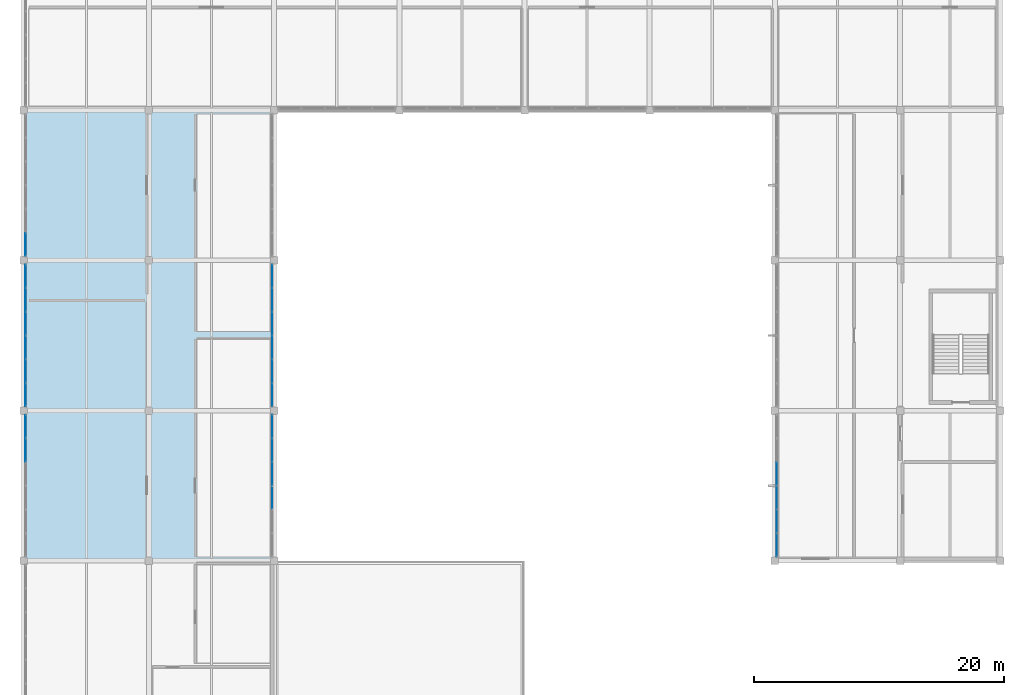
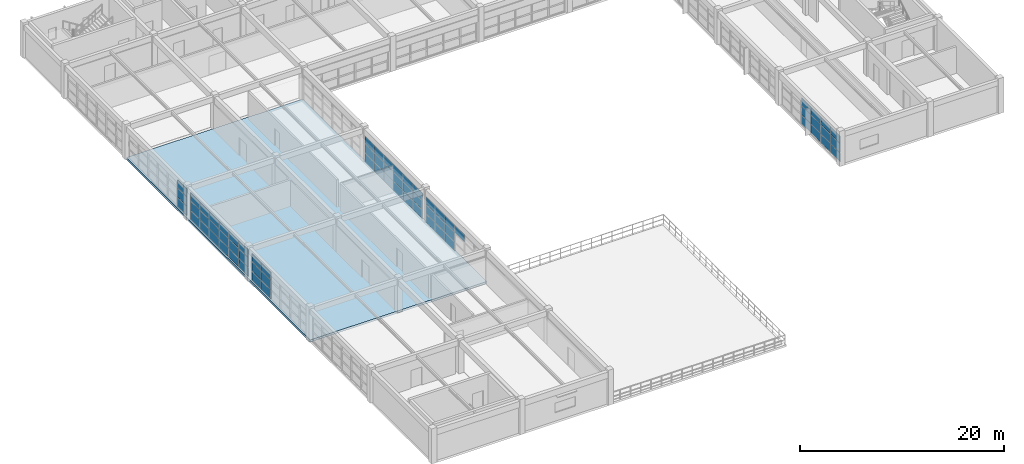
# One storey, part 15 of 28: 67 plates, 1 slab, 6 elements without a shape of their own.
"""IFC4 building model written with IfcOpenShell, lengths in metres."""

from ifc_helpers import new_model, si_unit, direction, frame, origin, origin_2d, place, context, subcontext, project, spatial, polyline, rectangle, outline, extrude, material, layer, layer_set, type_object, element, aggregate, save


model = new_model("IFC4")

# Units and contexts
model_context = context("Model", 3, precision=1e-05, world=origin(), true_north=direction((0.0, 1.0)))
body_context = subcontext(model_context, "Body", "Model", "MODEL_VIEW")
ifc_project = project(units=[si_unit("LENGTHUNIT", "METRE"), si_unit("AREAUNIT", "SQUARE_METRE"), si_unit("VOLUMEUNIT", "CUBIC_METRE"), si_unit("PLANEANGLEUNIT", "RADIAN"), si_unit("MASSUNIT", "GRAM", prefix="KILO")], contexts=[model_context])

# Site, building, storey
site_placement = place(None, origin())
site = spatial("IfcSite", under=ifc_project, at=site_placement, CompositionType="ELEMENT")
building_placement = place(site_placement, origin())
building = spatial("IfcBuilding", under=site, at=building_placement, Name="Kivolera Central Railway Station", CompositionType="ELEMENT")
storey_placement = place(building_placement, frame((0.0, 0.0, 18.60009765625)))
storey = spatial("IfcBuildingStorey", under=building, at=storey_placement, Name="L04", CompositionType="ELEMENT", Elevation=18.60009765625)

# Curtain wall, plates
ifc_material_1 = material(Name="Anodised aluminium", Category="aluminium")
ifc_layer_1 = layer(ifc_material_1, 0.179931640625, Name="Anodised aluminium")
ifc_layer_set_1 = layer_set([ifc_layer_1], Name="Anodised aluminium")
curtain_wall_type_1 = type_object("IfcCurtainWallType", Name="CW-SYS-32", PredefinedType="NOTDEFINED", material=ifc_layer_set_1)
curtain_wall_1_placement = place(storey_placement, origin())
curtain_wall_1 = element("IfcCurtainWall", 1, at=curtain_wall_1_placement, inside=storey, type_object=curtain_wall_type_1, Name="L04 Curtain Wall CW-L04-CRTW-G", PredefinedType="NOTDEFINED")
ifc_material_2 = material(Name="Double low-E laminated glass", Category="glass")
ifc_layer_2 = layer(ifc_material_2, 0.02587890625, Name="Double low-E laminated glass")
ifc_layer_set_2 = layer_set([ifc_layer_2], Name="Double low-E laminated glass")
plate_type_1 = type_object("IfcPlateType", Name="CWP-GLZ-1", PredefinedType="CURTAIN_PANEL", material=ifc_layer_set_2)
plate_1_placement = place(storey_placement, frame((137.85498046875, 88.7392578125, 0.0478515625), z_axis=(0.0, 0.0, 1.0), x_axis=(0.0, -1.0, 0.0)))
plate_1 = element("IfcPlate", 2, at=plate_1_placement, type_object=plate_type_1, Name="CW-32 panel 1.1", PredefinedType="CURTAIN_PANEL", context=body_context, shape_type="SweptSolid", body=[
    extrude(rectangle(XDim=1.835693359375, YDim=0.02587890625, at=origin_2d()), origin(), (0.0, 0.0, 1.0), 1.0498046875),
])
plate_2_placement = place(storey_placement, frame((137.85498046875, 88.7392578125, 1.1337890625), z_axis=(0.0, 0.0, 1.0), x_axis=(0.0, -1.0, 0.0)))
plate_2 = element("IfcPlate", 3, at=plate_2_placement, type_object=plate_type_1, Name="CW-32 panel 1.2", PredefinedType="CURTAIN_PANEL", context=body_context, shape_type="SweptSolid", body=[
    extrude(rectangle(XDim=1.835693359375, YDim=0.02587890625, at=origin_2d()), origin(), (0.0, 0.0, 1.0), 1.079833984375),
])
plate_3_placement = place(storey_placement, frame((137.85498046875, 88.7392578125, 2.24951171875), z_axis=(0.0, 0.0, 1.0), x_axis=(0.0, -1.0, 0.0)))
plate_3 = element("IfcPlate", 4, at=plate_3_placement, type_object=plate_type_1, Name="CW-32 panel 1.3", PredefinedType="CURTAIN_PANEL", context=body_context, shape_type="SweptSolid", body=[
    extrude(rectangle(XDim=1.835693359375, YDim=0.02587890625, at=origin_2d()), origin(), (0.0, 0.0, 1.0), 0.890380859375),
])
plate_4_placement = place(storey_placement, frame((137.85498046875, 86.8525390625, 0.0478515625), z_axis=(0.0, 0.0, 1.0), x_axis=(0.0, -1.0, 0.0)))
plate_4 = element("IfcPlate", 5, at=plate_4_placement, type_object=plate_type_1, Name="CW-32 panel 2.1", PredefinedType="CURTAIN_PANEL", context=body_context, shape_type="SweptSolid", body=[
    extrude(rectangle(XDim=1.86572265625, YDim=0.02587890625, at=origin_2d()), origin(), (0.0, 0.0, 1.0), 1.0498046875),
])
plate_5_placement = place(storey_placement, frame((137.85498046875, 86.8525390625, 1.1337890625), z_axis=(0.0, 0.0, 1.0), x_axis=(0.0, -1.0, 0.0)))
plate_5 = element("IfcPlate", 6, at=plate_5_placement, type_object=plate_type_1, Name="CW-32 panel 2.2", PredefinedType="CURTAIN_PANEL", context=body_context, shape_type="SweptSolid", body=[
    extrude(rectangle(XDim=1.86572265625, YDim=0.02587890625, at=origin_2d()), origin(), (0.0, 0.0, 1.0), 1.079833984375),
])
plate_6_placement = place(storey_placement, frame((137.85498046875, 86.8525390625, 2.24951171875), z_axis=(0.0, 0.0, 1.0), x_axis=(0.0, -1.0, 0.0)))
plate_6 = element("IfcPlate", 7, at=plate_6_placement, type_object=plate_type_1, Name="CW-32 panel 2.3", PredefinedType="CURTAIN_PANEL", context=body_context, shape_type="SweptSolid", body=[
    extrude(rectangle(XDim=1.86572265625, YDim=0.02587890625, at=origin_2d()), origin(), (0.0, 0.0, 1.0), 0.890380859375),
])
plate_7_placement = place(storey_placement, frame((137.85498046875, 84.950927734375, 0.0478515625), z_axis=(0.0, 0.0, 1.0), x_axis=(0.0, -1.0, 0.0)))
plate_7 = element("IfcPlate", 8, at=plate_7_placement, type_object=plate_type_1, Name="CW-32 panel 3.1", PredefinedType="CURTAIN_PANEL", context=body_context, shape_type="SweptSolid", body=[
    extrude(rectangle(XDim=1.86572265625, YDim=0.02587890625, at=origin_2d()), origin(), (0.0, 0.0, 1.0), 1.0498046875),
])
plate_8_placement = place(storey_placement, frame((137.85498046875, 84.950927734375, 1.1337890625), z_axis=(0.0, 0.0, 1.0), x_axis=(0.0, -1.0, 0.0)))
plate_8 = element("IfcPlate", 9, at=plate_8_placement, type_object=plate_type_1, Name="CW-32 panel 3.2", PredefinedType="CURTAIN_PANEL", context=body_context, shape_type="SweptSolid", body=[
    extrude(rectangle(XDim=1.86572265625, YDim=0.02587890625, at=origin_2d()), origin(), (0.0, 0.0, 1.0), 1.079833984375),
])
plate_9_placement = place(storey_placement, frame((137.85498046875, 84.950927734375, 2.24951171875), z_axis=(0.0, 0.0, 1.0), x_axis=(0.0, -1.0, 0.0)))
plate_9 = element("IfcPlate", 10, at=plate_9_placement, type_object=plate_type_1, Name="CW-32 panel 3.3", PredefinedType="CURTAIN_PANEL", context=body_context, shape_type="SweptSolid", body=[
    extrude(rectangle(XDim=1.86572265625, YDim=0.02587890625, at=origin_2d()), origin(), (0.0, 0.0, 1.0), 0.890380859375),
])
plate_10_placement = place(storey_placement, frame((137.85498046875, 83.049072265625, 2.24951171875), z_axis=(0.0, 0.0, 1.0), x_axis=(0.0, -1.0, 0.0)))
plate_10 = element("IfcPlate", 11, at=plate_10_placement, type_object=plate_type_1, Name="CW-32 panel 4.3", PredefinedType="CURTAIN_PANEL", context=body_context, shape_type="SweptSolid", body=[
    extrude(rectangle(XDim=1.86572265625, YDim=0.02587890625, at=origin_2d()), origin(), (0.0, 0.0, 1.0), 0.890380859375),
])
aggregate(curtain_wall_1, [plate_1, plate_2, plate_3, plate_4, plate_5, plate_6, plate_7, plate_8, plate_9, plate_10])

curtain_wall_2_placement = place(storey_placement, origin())
curtain_wall_2 = element("IfcCurtainWall", 12, at=curtain_wall_2_placement, inside=storey, type_object=curtain_wall_type_1, Name="L04 Curtain Wall CW-L04-CRTW-H", PredefinedType="NOTDEFINED")
plate_11_placement = place(storey_placement, frame((137.85498046875, 100.7392578125, 0.0478515625), z_axis=(0.0, 0.0, 1.0), x_axis=(0.0, -1.0, 0.0)))
plate_11 = element("IfcPlate", 13, at=plate_11_placement, type_object=plate_type_1, Name="CW-32 panel 1.1", PredefinedType="CURTAIN_PANEL", context=body_context, shape_type="SweptSolid", body=[
    extrude(rectangle(XDim=1.835693359375, YDim=0.02587890625, at=origin_2d()), origin(), (0.0, 0.0, 1.0), 1.0498046875),
])
plate_12_placement = place(storey_placement, frame((137.85498046875, 100.7392578125, 1.1337890625), z_axis=(0.0, 0.0, 1.0), x_axis=(0.0, -1.0, 0.0)))
plate_12 = element("IfcPlate", 14, at=plate_12_placement, type_object=plate_type_1, Name="CW-32 panel 1.2", PredefinedType="CURTAIN_PANEL", context=body_context, shape_type="SweptSolid", body=[
    extrude(rectangle(XDim=1.835693359375, YDim=0.02587890625, at=origin_2d()), origin(), (0.0, 0.0, 1.0), 1.079833984375),
])
plate_13_placement = place(storey_placement, frame((137.85498046875, 100.7392578125, 2.24951171875), z_axis=(0.0, 0.0, 1.0), x_axis=(0.0, -1.0, 0.0)))
plate_13 = element("IfcPlate", 15, at=plate_13_placement, type_object=plate_type_1, Name="CW-32 panel 1.3", PredefinedType="CURTAIN_PANEL", context=body_context, shape_type="SweptSolid", body=[
    extrude(rectangle(XDim=1.835693359375, YDim=0.02587890625, at=origin_2d()), origin(), (0.0, 0.0, 1.0), 0.890380859375),
])
plate_14_placement = place(storey_placement, frame((137.85498046875, 98.8525390625, 0.0478515625), z_axis=(0.0, 0.0, 1.0), x_axis=(0.0, -1.0, 0.0)))
plate_14 = element("IfcPlate", 16, at=plate_14_placement, type_object=plate_type_1, Name="CW-32 panel 2.1", PredefinedType="CURTAIN_PANEL", context=body_context, shape_type="SweptSolid", body=[
    extrude(rectangle(XDim=1.86572265625, YDim=0.02587890625, at=origin_2d()), origin(), (0.0, 0.0, 1.0), 1.0498046875),
])
plate_15_placement = place(storey_placement, frame((137.85498046875, 98.8525390625, 1.1337890625), z_axis=(0.0, 0.0, 1.0), x_axis=(0.0, -1.0, 0.0)))
plate_15 = element("IfcPlate", 17, at=plate_15_placement, type_object=plate_type_1, Name="CW-32 panel 2.2", PredefinedType="CURTAIN_PANEL", context=body_context, shape_type="SweptSolid", body=[
    extrude(rectangle(XDim=1.86572265625, YDim=0.02587890625, at=origin_2d()), origin(), (0.0, 0.0, 1.0), 1.079833984375),
])
plate_16_placement = place(storey_placement, frame((137.85498046875, 98.8525390625, 2.24951171875), z_axis=(0.0, 0.0, 1.0), x_axis=(0.0, -1.0, 0.0)))
plate_16 = element("IfcPlate", 18, at=plate_16_placement, type_object=plate_type_1, Name="CW-32 panel 2.3", PredefinedType="CURTAIN_PANEL", context=body_context, shape_type="SweptSolid", body=[
    extrude(rectangle(XDim=1.86572265625, YDim=0.02587890625, at=origin_2d()), origin(), (0.0, 0.0, 1.0), 0.890380859375),
])
plate_17_placement = place(storey_placement, frame((137.85498046875, 96.950927734375, 0.0478515625), z_axis=(0.0, 0.0, 1.0), x_axis=(0.0, -1.0, 0.0)))
plate_17 = element("IfcPlate", 19, at=plate_17_placement, type_object=plate_type_1, Name="CW-32 panel 3.1", PredefinedType="CURTAIN_PANEL", context=body_context, shape_type="SweptSolid", body=[
    extrude(rectangle(XDim=1.86572265625, YDim=0.02587890625, at=origin_2d()), origin(), (0.0, 0.0, 1.0), 1.0498046875),
])
plate_18_placement = place(storey_placement, frame((137.85498046875, 96.950927734375, 1.1337890625), z_axis=(0.0, 0.0, 1.0), x_axis=(0.0, -1.0, 0.0)))
plate_18 = element("IfcPlate", 20, at=plate_18_placement, type_object=plate_type_1, Name="CW-32 panel 3.2", PredefinedType="CURTAIN_PANEL", context=body_context, shape_type="SweptSolid", body=[
    extrude(rectangle(XDim=1.86572265625, YDim=0.02587890625, at=origin_2d()), origin(), (0.0, 0.0, 1.0), 1.079833984375),
])
plate_19_placement = place(storey_placement, frame((137.85498046875, 96.950927734375, 2.24951171875), z_axis=(0.0, 0.0, 1.0), x_axis=(0.0, -1.0, 0.0)))
plate_19 = element("IfcPlate", 21, at=plate_19_placement, type_object=plate_type_1, Name="CW-32 panel 3.3", PredefinedType="CURTAIN_PANEL", context=body_context, shape_type="SweptSolid", body=[
    extrude(rectangle(XDim=1.86572265625, YDim=0.02587890625, at=origin_2d()), origin(), (0.0, 0.0, 1.0), 0.890380859375),
])
plate_20_placement = place(storey_placement, frame((137.85498046875, 95.049072265625, 0.0478515625), z_axis=(0.0, 0.0, 1.0), x_axis=(0.0, -1.0, 0.0)))
plate_20 = element("IfcPlate", 22, at=plate_20_placement, type_object=plate_type_1, Name="CW-32 panel 4.1", PredefinedType="CURTAIN_PANEL", context=body_context, shape_type="SweptSolid", body=[
    extrude(rectangle(XDim=1.86572265625, YDim=0.02587890625, at=origin_2d()), origin(), (0.0, 0.0, 1.0), 1.0498046875),
])
plate_21_placement = place(storey_placement, frame((137.85498046875, 95.049072265625, 1.1337890625), z_axis=(0.0, 0.0, 1.0), x_axis=(0.0, -1.0, 0.0)))
plate_21 = element("IfcPlate", 23, at=plate_21_placement, type_object=plate_type_1, Name="CW-32 panel 4.2", PredefinedType="CURTAIN_PANEL", context=body_context, shape_type="SweptSolid", body=[
    extrude(rectangle(XDim=1.86572265625, YDim=0.02587890625, at=origin_2d()), origin(), (0.0, 0.0, 1.0), 1.079833984375),
])
plate_22_placement = place(storey_placement, frame((137.85498046875, 95.049072265625, 2.24951171875), z_axis=(0.0, 0.0, 1.0), x_axis=(0.0, -1.0, 0.0)))
plate_22 = element("IfcPlate", 24, at=plate_22_placement, type_object=plate_type_1, Name="CW-32 panel 4.3", PredefinedType="CURTAIN_PANEL", context=body_context, shape_type="SweptSolid", body=[
    extrude(rectangle(XDim=1.86572265625, YDim=0.02587890625, at=origin_2d()), origin(), (0.0, 0.0, 1.0), 0.890380859375),
])
plate_23_placement = place(storey_placement, frame((137.85498046875, 93.1474609375, 0.0478515625), z_axis=(0.0, 0.0, 1.0), x_axis=(0.0, -1.0, 0.0)))
plate_23 = element("IfcPlate", 25, at=plate_23_placement, type_object=plate_type_1, Name="CW-32 panel 5.1", PredefinedType="CURTAIN_PANEL", context=body_context, shape_type="SweptSolid", body=[
    extrude(rectangle(XDim=1.86572265625, YDim=0.02587890625, at=origin_2d()), origin(), (0.0, 0.0, 1.0), 1.0498046875),
])
plate_24_placement = place(storey_placement, frame((137.85498046875, 93.1474609375, 1.1337890625), z_axis=(0.0, 0.0, 1.0), x_axis=(0.0, -1.0, 0.0)))
plate_24 = element("IfcPlate", 26, at=plate_24_placement, type_object=plate_type_1, Name="CW-32 panel 5.2", PredefinedType="CURTAIN_PANEL", context=body_context, shape_type="SweptSolid", body=[
    extrude(rectangle(XDim=1.86572265625, YDim=0.02587890625, at=origin_2d()), origin(), (0.0, 0.0, 1.0), 1.079833984375),
])
plate_25_placement = place(storey_placement, frame((137.85498046875, 93.1474609375, 2.24951171875), z_axis=(0.0, 0.0, 1.0), x_axis=(0.0, -1.0, 0.0)))
plate_25 = element("IfcPlate", 27, at=plate_25_placement, type_object=plate_type_1, Name="CW-32 panel 5.3", PredefinedType="CURTAIN_PANEL", context=body_context, shape_type="SweptSolid", body=[
    extrude(rectangle(XDim=1.86572265625, YDim=0.02587890625, at=origin_2d()), origin(), (0.0, 0.0, 1.0), 0.890380859375),
])
plate_26_placement = place(storey_placement, frame((137.85498046875, 91.2607421875, 0.0478515625), z_axis=(0.0, 0.0, 1.0), x_axis=(0.0, -1.0, 0.0)))
plate_26 = element("IfcPlate", 28, at=plate_26_placement, type_object=plate_type_1, Name="CW-32 panel 6.1", PredefinedType="CURTAIN_PANEL", context=body_context, shape_type="SweptSolid", body=[
    extrude(rectangle(XDim=1.835693359375, YDim=0.02587890625, at=origin_2d()), origin(), (0.0, 0.0, 1.0), 1.0498046875),
])
plate_27_placement = place(storey_placement, frame((137.85498046875, 91.2607421875, 1.1337890625), z_axis=(0.0, 0.0, 1.0), x_axis=(0.0, -1.0, 0.0)))
plate_27 = element("IfcPlate", 29, at=plate_27_placement, type_object=plate_type_1, Name="CW-32 panel 6.2", PredefinedType="CURTAIN_PANEL", context=body_context, shape_type="SweptSolid", body=[
    extrude(rectangle(XDim=1.835693359375, YDim=0.02587890625, at=origin_2d()), origin(), (0.0, 0.0, 1.0), 1.079833984375),
])
plate_28_placement = place(storey_placement, frame((137.85498046875, 91.2607421875, 2.24951171875), z_axis=(0.0, 0.0, 1.0), x_axis=(0.0, -1.0, 0.0)))
plate_28 = element("IfcPlate", 30, at=plate_28_placement, type_object=plate_type_1, Name="CW-32 panel 6.3", PredefinedType="CURTAIN_PANEL", context=body_context, shape_type="SweptSolid", body=[
    extrude(rectangle(XDim=1.835693359375, YDim=0.02587890625, at=origin_2d()), origin(), (0.0, 0.0, 1.0), 0.890380859375),
])
aggregate(curtain_wall_2, [plate_11, plate_12, plate_13, plate_14, plate_15, plate_16, plate_17, plate_18, plate_19, plate_20, plate_21, plate_22, plate_23, plate_24, plate_25, plate_26, plate_27, plate_28])

curtain_wall_3_placement = place(storey_placement, origin())
curtain_wall_3 = element("IfcCurtainWall", 31, at=curtain_wall_3_placement, inside=storey, type_object=curtain_wall_type_1, Name="L04 Curtain Wall CW-L04-CRTE-G", PredefinedType="NOTDEFINED")
ifc_layer_3 = layer(ifc_material_2, 0.030029296875, Name="Double low-E laminated glass")
ifc_layer_set_3 = layer_set([ifc_layer_3], Name="Double low-E laminated glass")
plate_type_2 = type_object("IfcPlateType", Name="CWP-GLZ-2", PredefinedType="CURTAIN_PANEL", material=ifc_layer_set_3)
plate_29_placement = place(storey_placement, frame((178.14501953125, 79.2607421875, 0.0478515625), z_axis=(0.0, 0.0, 1.0), x_axis=(0.0, 1.0, 0.0)))
plate_29 = element("IfcPlate", 32, at=plate_29_placement, type_object=plate_type_2, Name="CW-32 panel 1.1", PredefinedType="CURTAIN_PANEL", context=body_context, shape_type="SweptSolid", body=[
    extrude(rectangle(XDim=1.835693359375, YDim=0.030029296875, at=origin_2d()), origin(), (0.0, 0.0, 1.0), 1.0498046875),
])
plate_30_placement = place(storey_placement, frame((178.14501953125, 79.2607421875, 1.1337890625), z_axis=(0.0, 0.0, 1.0), x_axis=(0.0, 1.0, 0.0)))
plate_30 = element("IfcPlate", 33, at=plate_30_placement, type_object=plate_type_2, Name="CW-32 panel 1.2", PredefinedType="CURTAIN_PANEL", context=body_context, shape_type="SweptSolid", body=[
    extrude(rectangle(XDim=1.835693359375, YDim=0.030029296875, at=origin_2d()), origin(), (0.0, 0.0, 1.0), 1.079833984375),
])
plate_31_placement = place(storey_placement, frame((178.14501953125, 79.2607421875, 2.24951171875), z_axis=(0.0, 0.0, 1.0), x_axis=(0.0, 1.0, 0.0)))
plate_31 = element("IfcPlate", 34, at=plate_31_placement, type_object=plate_type_2, Name="CW-32 panel 1.3", PredefinedType="CURTAIN_PANEL", context=body_context, shape_type="SweptSolid", body=[
    extrude(rectangle(XDim=1.835693359375, YDim=0.030029296875, at=origin_2d()), origin(), (0.0, 0.0, 1.0), 0.890380859375),
])
plate_32_placement = place(storey_placement, frame((178.14501953125, 81.1474609375, 0.0478515625), z_axis=(0.0, 0.0, 1.0), x_axis=(0.0, 1.0, 0.0)))
plate_32 = element("IfcPlate", 35, at=plate_32_placement, type_object=plate_type_2, Name="CW-32 panel 2.1", PredefinedType="CURTAIN_PANEL", context=body_context, shape_type="SweptSolid", body=[
    extrude(rectangle(XDim=1.86572265625, YDim=0.030029296875, at=origin_2d()), origin(), (0.0, 0.0, 1.0), 1.0498046875),
])
plate_33_placement = place(storey_placement, frame((178.14501953125, 81.1474609375, 1.1337890625), z_axis=(0.0, 0.0, 1.0), x_axis=(0.0, 1.0, 0.0)))
plate_33 = element("IfcPlate", 36, at=plate_33_placement, type_object=plate_type_2, Name="CW-32 panel 2.2", PredefinedType="CURTAIN_PANEL", context=body_context, shape_type="SweptSolid", body=[
    extrude(rectangle(XDim=1.86572265625, YDim=0.030029296875, at=origin_2d()), origin(), (0.0, 0.0, 1.0), 1.079833984375),
])
plate_34_placement = place(storey_placement, frame((178.14501953125, 81.1474609375, 2.24951171875), z_axis=(0.0, 0.0, 1.0), x_axis=(0.0, 1.0, 0.0)))
plate_34 = element("IfcPlate", 37, at=plate_34_placement, type_object=plate_type_2, Name="CW-32 panel 2.3", PredefinedType="CURTAIN_PANEL", context=body_context, shape_type="SweptSolid", body=[
    extrude(rectangle(XDim=1.86572265625, YDim=0.030029296875, at=origin_2d()), origin(), (0.0, 0.0, 1.0), 0.890380859375),
])
plate_35_placement = place(storey_placement, frame((178.14501953125, 83.049072265625, 0.0478515625), z_axis=(0.0, 0.0, 1.0), x_axis=(0.0, 1.0, 0.0)))
plate_35 = element("IfcPlate", 38, at=plate_35_placement, type_object=plate_type_2, Name="CW-32 panel 3.1", PredefinedType="CURTAIN_PANEL", context=body_context, shape_type="SweptSolid", body=[
    extrude(rectangle(XDim=1.86572265625, YDim=0.030029296875, at=origin_2d()), origin(), (0.0, 0.0, 1.0), 1.0498046875),
])
plate_36_placement = place(storey_placement, frame((178.14501953125, 83.049072265625, 1.1337890625), z_axis=(0.0, 0.0, 1.0), x_axis=(0.0, 1.0, 0.0)))
plate_36 = element("IfcPlate", 39, at=plate_36_placement, type_object=plate_type_2, Name="CW-32 panel 3.2", PredefinedType="CURTAIN_PANEL", context=body_context, shape_type="SweptSolid", body=[
    extrude(rectangle(XDim=1.86572265625, YDim=0.030029296875, at=origin_2d()), origin(), (0.0, 0.0, 1.0), 1.079833984375),
])
plate_37_placement = place(storey_placement, frame((178.14501953125, 83.049072265625, 2.24951171875), z_axis=(0.0, 0.0, 1.0), x_axis=(0.0, 1.0, 0.0)))
plate_37 = element("IfcPlate", 40, at=plate_37_placement, type_object=plate_type_2, Name="CW-32 panel 3.3", PredefinedType="CURTAIN_PANEL", context=body_context, shape_type="SweptSolid", body=[
    extrude(rectangle(XDim=1.86572265625, YDim=0.030029296875, at=origin_2d()), origin(), (0.0, 0.0, 1.0), 0.890380859375),
])
plate_38_placement = place(storey_placement, frame((178.14501953125, 84.950927734375, 0.0478515625), z_axis=(0.0, 0.0, 1.0), x_axis=(0.0, 1.0, 0.0)))
plate_38 = element("IfcPlate", 41, at=plate_38_placement, type_object=plate_type_2, Name="CW-32 panel 4.1", PredefinedType="CURTAIN_PANEL", context=body_context, shape_type="SweptSolid", body=[
    extrude(rectangle(XDim=1.86572265625, YDim=0.030029296875, at=origin_2d()), origin(), (0.0, 0.0, 1.0), 1.0498046875),
])
plate_39_placement = place(storey_placement, frame((178.14501953125, 84.950927734375, 1.1337890625), z_axis=(0.0, 0.0, 1.0), x_axis=(0.0, 1.0, 0.0)))
plate_39 = element("IfcPlate", 42, at=plate_39_placement, type_object=plate_type_2, Name="CW-32 panel 4.2", PredefinedType="CURTAIN_PANEL", context=body_context, shape_type="SweptSolid", body=[
    extrude(rectangle(XDim=1.86572265625, YDim=0.030029296875, at=origin_2d()), origin(), (0.0, 0.0, 1.0), 1.079833984375),
])
plate_40_placement = place(storey_placement, frame((178.14501953125, 84.950927734375, 2.24951171875), z_axis=(0.0, 0.0, 1.0), x_axis=(0.0, 1.0, 0.0)))
plate_40 = element("IfcPlate", 43, at=plate_40_placement, type_object=plate_type_2, Name="CW-32 panel 4.3", PredefinedType="CURTAIN_PANEL", context=body_context, shape_type="SweptSolid", body=[
    extrude(rectangle(XDim=1.86572265625, YDim=0.030029296875, at=origin_2d()), origin(), (0.0, 0.0, 1.0), 0.890380859375),
])
aggregate(curtain_wall_3, [plate_29, plate_30, plate_31, plate_32, plate_33, plate_34, plate_35, plate_36, plate_37, plate_38, plate_39, plate_40])

ifc_layer_4 = layer(ifc_material_1, 0.179931640625, Name="Anodised aluminium")
ifc_layer_set_4 = layer_set([ifc_layer_4], Name="Anodised aluminium")
curtain_wall_type_2 = type_object("IfcCurtainWallType", Name="CW-SYS-33", PredefinedType="NOTDEFINED", material=ifc_layer_set_4)
curtain_wall_4_placement = place(storey_placement, origin())
curtain_wall_4 = element("IfcCurtainWall", 44, at=curtain_wall_4_placement, inside=storey, type_object=curtain_wall_type_2, Name="L04 Curtain Wall CW-L04-WEST-G", PredefinedType="NOTDEFINED")
plate_41_placement = place(storey_placement, frame((118.14501953125, 86.8525390625, 0.057861328125), z_axis=(0.0, 0.0, 1.0), x_axis=(0.0, 1.0, 0.0)))
plate_41 = element("IfcPlate", 45, at=plate_41_placement, type_object=plate_type_2, Name="CW-33 panel 5.1", PredefinedType="CURTAIN_PANEL", context=body_context, shape_type="SweptSolid", body=[
    extrude(rectangle(XDim=1.855712890625, YDim=0.030029296875, at=origin_2d()), origin(), (0.0, 0.0, 1.0), 1.06982421875),
])
plate_42_placement = place(storey_placement, frame((118.14501953125, 86.8525390625, 1.173828125), z_axis=(0.0, 0.0, 1.0), x_axis=(0.0, 1.0, 0.0)))
plate_42 = element("IfcPlate", 46, at=plate_42_placement, type_object=plate_type_2, Name="CW-33 panel 5.2", PredefinedType="CURTAIN_PANEL", context=body_context, shape_type="SweptSolid", body=[
    extrude(rectangle(XDim=1.855712890625, YDim=0.030029296875, at=origin_2d()), origin(), (0.0, 0.0, 1.0), 1.104736328125),
])
plate_43_placement = place(storey_placement, frame((118.14501953125, 86.8525390625, 2.32421875), z_axis=(0.0, 0.0, 1.0), x_axis=(0.0, 1.0, 0.0)))
plate_43 = element("IfcPlate", 47, at=plate_43_placement, type_object=plate_type_2, Name="CW-33 panel 5.3", PredefinedType="CURTAIN_PANEL", context=body_context, shape_type="SweptSolid", body=[
    extrude(rectangle(XDim=1.855712890625, YDim=0.030029296875, at=origin_2d()), origin(), (0.0, 0.0, 1.0), 0.905517578125),
])
plate_44_placement = place(storey_placement, frame((118.14501953125, 88.736572265625, 0.057861328125), z_axis=(0.0, 0.0, 1.0), x_axis=(0.0, 1.0, 0.0)))
plate_44 = element("IfcPlate", 48, at=plate_44_placement, type_object=plate_type_2, Name="CW-33 panel 6.1", PredefinedType="CURTAIN_PANEL", context=body_context, shape_type="SweptSolid", body=[
    extrude(rectangle(XDim=1.820556640625, YDim=0.030029296875, at=origin_2d()), origin(), (0.0, 0.0, 1.0), 1.06982421875),
])
plate_45_placement = place(storey_placement, frame((118.14501953125, 88.736572265625, 1.173828125), z_axis=(0.0, 0.0, 1.0), x_axis=(0.0, 1.0, 0.0)))
plate_45 = element("IfcPlate", 49, at=plate_45_placement, type_object=plate_type_2, Name="CW-33 panel 6.2", PredefinedType="CURTAIN_PANEL", context=body_context, shape_type="SweptSolid", body=[
    extrude(rectangle(XDim=1.820556640625, YDim=0.030029296875, at=origin_2d()), origin(), (0.0, 0.0, 1.0), 1.104736328125),
])
plate_46_placement = place(storey_placement, frame((118.14501953125, 88.736572265625, 2.32421875), z_axis=(0.0, 0.0, 1.0), x_axis=(0.0, 1.0, 0.0)))
plate_46 = element("IfcPlate", 50, at=plate_46_placement, type_object=plate_type_2, Name="CW-33 panel 6.3", PredefinedType="CURTAIN_PANEL", context=body_context, shape_type="SweptSolid", body=[
    extrude(rectangle(XDim=1.820556640625, YDim=0.030029296875, at=origin_2d()), origin(), (0.0, 0.0, 1.0), 0.905517578125),
])
aggregate(curtain_wall_4, [plate_41, plate_42, plate_43, plate_44, plate_45, plate_46])

curtain_wall_5_placement = place(storey_placement, origin())
curtain_wall_5 = element("IfcCurtainWall", 51, at=curtain_wall_5_placement, inside=storey, type_object=curtain_wall_type_2, Name="L04 Curtain Wall CW-L04-WEST-H", PredefinedType="NOTDEFINED")
plate_47_placement = place(storey_placement, frame((118.14501953125, 91.263427734375, 0.057861328125), z_axis=(0.0, 0.0, 1.0), x_axis=(0.0, 1.0, 0.0)))
plate_47 = element("IfcPlate", 52, at=plate_47_placement, type_object=plate_type_2, Name="CW-33 panel 1.1", PredefinedType="CURTAIN_PANEL", context=body_context, shape_type="SweptSolid", body=[
    extrude(rectangle(XDim=1.820556640625, YDim=0.030029296875, at=origin_2d()), origin(), (0.0, 0.0, 1.0), 1.06982421875),
])
plate_48_placement = place(storey_placement, frame((118.14501953125, 91.263427734375, 1.173828125), z_axis=(0.0, 0.0, 1.0), x_axis=(0.0, 1.0, 0.0)))
plate_48 = element("IfcPlate", 53, at=plate_48_placement, type_object=plate_type_2, Name="CW-33 panel 1.2", PredefinedType="CURTAIN_PANEL", context=body_context, shape_type="SweptSolid", body=[
    extrude(rectangle(XDim=1.820556640625, YDim=0.030029296875, at=origin_2d()), origin(), (0.0, 0.0, 1.0), 1.104736328125),
])
plate_49_placement = place(storey_placement, frame((118.14501953125, 91.263427734375, 2.32421875), z_axis=(0.0, 0.0, 1.0), x_axis=(0.0, 1.0, 0.0)))
plate_49 = element("IfcPlate", 54, at=plate_49_placement, type_object=plate_type_2, Name="CW-33 panel 1.3", PredefinedType="CURTAIN_PANEL", context=body_context, shape_type="SweptSolid", body=[
    extrude(rectangle(XDim=1.820556640625, YDim=0.030029296875, at=origin_2d()), origin(), (0.0, 0.0, 1.0), 0.905517578125),
])
plate_50_placement = place(storey_placement, frame((118.14501953125, 93.1474609375, 0.057861328125), z_axis=(0.0, 0.0, 1.0), x_axis=(0.0, 1.0, 0.0)))
plate_50 = element("IfcPlate", 55, at=plate_50_placement, type_object=plate_type_2, Name="CW-33 panel 2.1", PredefinedType="CURTAIN_PANEL", context=body_context, shape_type="SweptSolid", body=[
    extrude(rectangle(XDim=1.855712890625, YDim=0.030029296875, at=origin_2d()), origin(), (0.0, 0.0, 1.0), 1.06982421875),
])
plate_51_placement = place(storey_placement, frame((118.14501953125, 93.1474609375, 1.173828125), z_axis=(0.0, 0.0, 1.0), x_axis=(0.0, 1.0, 0.0)))
plate_51 = element("IfcPlate", 56, at=plate_51_placement, type_object=plate_type_2, Name="CW-33 panel 2.2", PredefinedType="CURTAIN_PANEL", context=body_context, shape_type="SweptSolid", body=[
    extrude(rectangle(XDim=1.855712890625, YDim=0.030029296875, at=origin_2d()), origin(), (0.0, 0.0, 1.0), 1.104736328125),
])
plate_52_placement = place(storey_placement, frame((118.14501953125, 93.1474609375, 2.32421875), z_axis=(0.0, 0.0, 1.0), x_axis=(0.0, 1.0, 0.0)))
plate_52 = element("IfcPlate", 57, at=plate_52_placement, type_object=plate_type_2, Name="CW-33 panel 2.3", PredefinedType="CURTAIN_PANEL", context=body_context, shape_type="SweptSolid", body=[
    extrude(rectangle(XDim=1.855712890625, YDim=0.030029296875, at=origin_2d()), origin(), (0.0, 0.0, 1.0), 0.905517578125),
])
plate_53_placement = place(storey_placement, frame((118.14501953125, 95.049072265625, 0.057861328125), z_axis=(0.0, 0.0, 1.0), x_axis=(0.0, 1.0, 0.0)))
plate_53 = element("IfcPlate", 58, at=plate_53_placement, type_object=plate_type_2, Name="CW-33 panel 3.1", PredefinedType="CURTAIN_PANEL", context=body_context, shape_type="SweptSolid", body=[
    extrude(rectangle(XDim=1.855712890625, YDim=0.030029296875, at=origin_2d()), origin(), (0.0, 0.0, 1.0), 1.06982421875),
])
plate_54_placement = place(storey_placement, frame((118.14501953125, 95.049072265625, 1.173828125), z_axis=(0.0, 0.0, 1.0), x_axis=(0.0, 1.0, 0.0)))
plate_54 = element("IfcPlate", 59, at=plate_54_placement, type_object=plate_type_2, Name="CW-33 panel 3.2", PredefinedType="CURTAIN_PANEL", context=body_context, shape_type="SweptSolid", body=[
    extrude(rectangle(XDim=1.855712890625, YDim=0.030029296875, at=origin_2d()), origin(), (0.0, 0.0, 1.0), 1.104736328125),
])
plate_55_placement = place(storey_placement, frame((118.14501953125, 95.049072265625, 2.32421875), z_axis=(0.0, 0.0, 1.0), x_axis=(0.0, 1.0, 0.0)))
plate_55 = element("IfcPlate", 60, at=plate_55_placement, type_object=plate_type_2, Name="CW-33 panel 3.3", PredefinedType="CURTAIN_PANEL", context=body_context, shape_type="SweptSolid", body=[
    extrude(rectangle(XDim=1.855712890625, YDim=0.030029296875, at=origin_2d()), origin(), (0.0, 0.0, 1.0), 0.905517578125),
])
plate_56_placement = place(storey_placement, frame((118.14501953125, 96.950927734375, 0.057861328125), z_axis=(0.0, 0.0, 1.0), x_axis=(0.0, 1.0, 0.0)))
plate_56 = element("IfcPlate", 61, at=plate_56_placement, type_object=plate_type_2, Name="CW-33 panel 4.1", PredefinedType="CURTAIN_PANEL", context=body_context, shape_type="SweptSolid", body=[
    extrude(rectangle(XDim=1.855712890625, YDim=0.030029296875, at=origin_2d()), origin(), (0.0, 0.0, 1.0), 1.06982421875),
])
plate_57_placement = place(storey_placement, frame((118.14501953125, 96.950927734375, 1.173828125), z_axis=(0.0, 0.0, 1.0), x_axis=(0.0, 1.0, 0.0)))
plate_57 = element("IfcPlate", 62, at=plate_57_placement, type_object=plate_type_2, Name="CW-33 panel 4.2", PredefinedType="CURTAIN_PANEL", context=body_context, shape_type="SweptSolid", body=[
    extrude(rectangle(XDim=1.855712890625, YDim=0.030029296875, at=origin_2d()), origin(), (0.0, 0.0, 1.0), 1.104736328125),
])
plate_58_placement = place(storey_placement, frame((118.14501953125, 96.950927734375, 2.32421875), z_axis=(0.0, 0.0, 1.0), x_axis=(0.0, 1.0, 0.0)))
plate_58 = element("IfcPlate", 63, at=plate_58_placement, type_object=plate_type_2, Name="CW-33 panel 4.3", PredefinedType="CURTAIN_PANEL", context=body_context, shape_type="SweptSolid", body=[
    extrude(rectangle(XDim=1.855712890625, YDim=0.030029296875, at=origin_2d()), origin(), (0.0, 0.0, 1.0), 0.905517578125),
])
plate_59_placement = place(storey_placement, frame((118.14501953125, 98.8525390625, 0.057861328125), z_axis=(0.0, 0.0, 1.0), x_axis=(0.0, 1.0, 0.0)))
plate_59 = element("IfcPlate", 64, at=plate_59_placement, type_object=plate_type_2, Name="CW-33 panel 5.1", PredefinedType="CURTAIN_PANEL", context=body_context, shape_type="SweptSolid", body=[
    extrude(rectangle(XDim=1.855712890625, YDim=0.030029296875, at=origin_2d()), origin(), (0.0, 0.0, 1.0), 1.06982421875),
])
plate_60_placement = place(storey_placement, frame((118.14501953125, 98.8525390625, 1.173828125), z_axis=(0.0, 0.0, 1.0), x_axis=(0.0, 1.0, 0.0)))
plate_60 = element("IfcPlate", 65, at=plate_60_placement, type_object=plate_type_2, Name="CW-33 panel 5.2", PredefinedType="CURTAIN_PANEL", context=body_context, shape_type="SweptSolid", body=[
    extrude(rectangle(XDim=1.855712890625, YDim=0.030029296875, at=origin_2d()), origin(), (0.0, 0.0, 1.0), 1.104736328125),
])
plate_61_placement = place(storey_placement, frame((118.14501953125, 98.8525390625, 2.32421875), z_axis=(0.0, 0.0, 1.0), x_axis=(0.0, 1.0, 0.0)))
plate_61 = element("IfcPlate", 66, at=plate_61_placement, type_object=plate_type_2, Name="CW-33 panel 5.3", PredefinedType="CURTAIN_PANEL", context=body_context, shape_type="SweptSolid", body=[
    extrude(rectangle(XDim=1.855712890625, YDim=0.030029296875, at=origin_2d()), origin(), (0.0, 0.0, 1.0), 0.905517578125),
])
plate_62_placement = place(storey_placement, frame((118.14501953125, 100.736572265625, 0.057861328125), z_axis=(0.0, 0.0, 1.0), x_axis=(0.0, 1.0, 0.0)))
plate_62 = element("IfcPlate", 67, at=plate_62_placement, type_object=plate_type_2, Name="CW-33 panel 6.1", PredefinedType="CURTAIN_PANEL", context=body_context, shape_type="SweptSolid", body=[
    extrude(rectangle(XDim=1.820556640625, YDim=0.030029296875, at=origin_2d()), origin(), (0.0, 0.0, 1.0), 1.06982421875),
])
plate_63_placement = place(storey_placement, frame((118.14501953125, 100.736572265625, 1.173828125), z_axis=(0.0, 0.0, 1.0), x_axis=(0.0, 1.0, 0.0)))
plate_63 = element("IfcPlate", 68, at=plate_63_placement, type_object=plate_type_2, Name="CW-33 panel 6.2", PredefinedType="CURTAIN_PANEL", context=body_context, shape_type="SweptSolid", body=[
    extrude(rectangle(XDim=1.820556640625, YDim=0.030029296875, at=origin_2d()), origin(), (0.0, 0.0, 1.0), 1.104736328125),
])
plate_64_placement = place(storey_placement, frame((118.14501953125, 100.736572265625, 2.32421875), z_axis=(0.0, 0.0, 1.0), x_axis=(0.0, 1.0, 0.0)))
plate_64 = element("IfcPlate", 69, at=plate_64_placement, type_object=plate_type_2, Name="CW-33 panel 6.3", PredefinedType="CURTAIN_PANEL", context=body_context, shape_type="SweptSolid", body=[
    extrude(rectangle(XDim=1.820556640625, YDim=0.030029296875, at=origin_2d()), origin(), (0.0, 0.0, 1.0), 0.905517578125),
])
aggregate(curtain_wall_5, [plate_47, plate_48, plate_49, plate_50, plate_51, plate_52, plate_53, plate_54, plate_55, plate_56, plate_57, plate_58, plate_59, plate_60, plate_61, plate_62, plate_63, plate_64])

curtain_wall_6_placement = place(storey_placement, origin())
curtain_wall_6 = element("IfcCurtainWall", 70, at=curtain_wall_6_placement, inside=storey, type_object=curtain_wall_type_2, Name="L04 Curtain Wall CW-L04-WEST-J", PredefinedType="NOTDEFINED")
plate_65_placement = place(storey_placement, frame((118.14501953125, 103.263427734375, 0.057861328125), z_axis=(0.0, 0.0, 1.0), x_axis=(0.0, 1.0, 0.0)))
plate_65 = element("IfcPlate", 71, at=plate_65_placement, type_object=plate_type_2, Name="CW-33 panel 1.1", PredefinedType="CURTAIN_PANEL", context=body_context, shape_type="SweptSolid", body=[
    extrude(rectangle(XDim=1.820556640625, YDim=0.030029296875, at=origin_2d()), origin(), (0.0, 0.0, 1.0), 1.06982421875),
])
plate_66_placement = place(storey_placement, frame((118.14501953125, 103.263427734375, 1.173828125), z_axis=(0.0, 0.0, 1.0), x_axis=(0.0, 1.0, 0.0)))
plate_66 = element("IfcPlate", 72, at=plate_66_placement, type_object=plate_type_2, Name="CW-33 panel 1.2", PredefinedType="CURTAIN_PANEL", context=body_context, shape_type="SweptSolid", body=[
    extrude(rectangle(XDim=1.820556640625, YDim=0.030029296875, at=origin_2d()), origin(), (0.0, 0.0, 1.0), 1.104736328125),
])
plate_67_placement = place(storey_placement, frame((118.14501953125, 103.263427734375, 2.32421875), z_axis=(0.0, 0.0, 1.0), x_axis=(0.0, 1.0, 0.0)))
plate_67 = element("IfcPlate", 73, at=plate_67_placement, type_object=plate_type_2, Name="CW-33 panel 1.3", PredefinedType="CURTAIN_PANEL", context=body_context, shape_type="SweptSolid", body=[
    extrude(rectangle(XDim=1.820556640625, YDim=0.030029296875, at=origin_2d()), origin(), (0.0, 0.0, 1.0), 0.905517578125),
])
aggregate(curtain_wall_6, [plate_65, plate_66, plate_67])

# Slab
ifc_material_3 = material(Name="Concrete C40/50", Category="concrete")
ifc_layer_5 = layer(ifc_material_3, 0.260009765625, Name="Concrete C40/50")
ifc_layer_set_5 = layer_set([ifc_layer_5], Name="Concrete C40/50")
slab_type = type_object("IfcSlabType", Name="SLB-FLR-260", PredefinedType="FLOOR", material=ifc_layer_set_5)
slab_placement = place(storey_placement, frame((0.0, 0.0, -0.260009765625)))
element("IfcSlab", 74, at=slab_placement, inside=storey, type_object=slab_type, Name="L04 Wing WEST Floor Slab", PredefinedType="FLOOR", context=body_context, shape_type="SweptSolid", body=[
    extrude(outline(polyline([(118.0, 78.0), (138.0, 78.0), (138.0, 114.0), (118.0, 114.0), (118.0, 78.0)])), origin(), (0.0, 0.0, 1.0), 0.260009765625),
])

save(model, "model.ifc")
